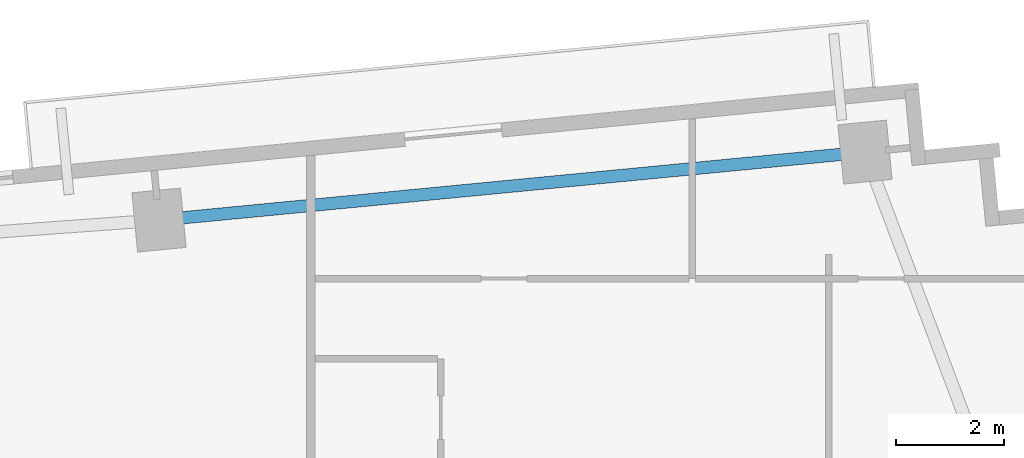
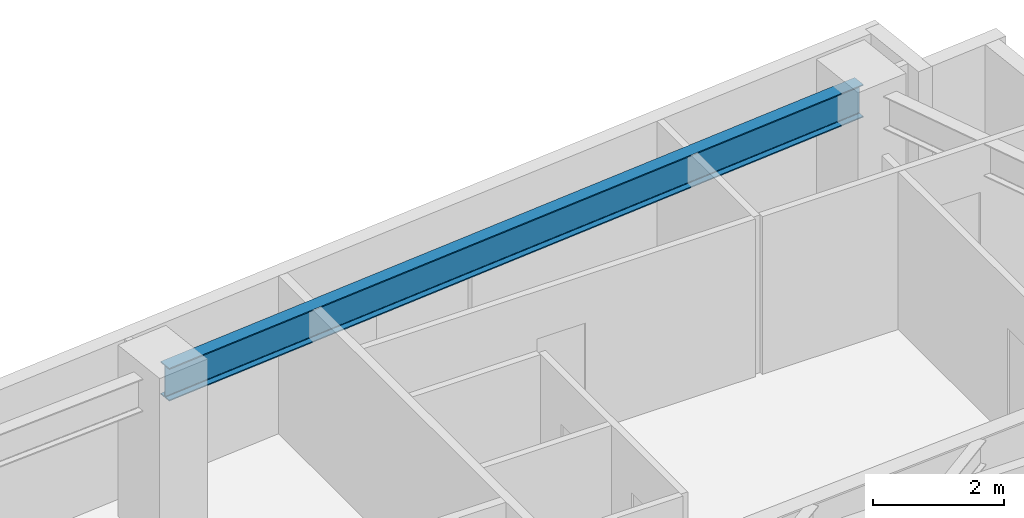
# One storey, part 18 of 27: 1 beam.
"""IFC4 building model written with IfcOpenShell, lengths in metres."""

from ifc_helpers import new_model, si_unit, direction, frame, origin, origin_2d, place, context, subcontext, project, spatial, i_section, extrude, source, transform, mapped, material, material_profile, profile_set, type_object, type_shapes, element, save


model = new_model("IFC4")

# Units and contexts
model_context = context("Model", 3, precision=1e-05, world=origin(), true_north=direction((0.0, 1.0)))
body_context = subcontext(model_context, "Body", "Model", "MODEL_VIEW")
ifc_project = project(units=[si_unit("LENGTHUNIT", "METRE"), si_unit("AREAUNIT", "SQUARE_METRE"), si_unit("VOLUMEUNIT", "CUBIC_METRE"), si_unit("PLANEANGLEUNIT", "RADIAN"), si_unit("MASSUNIT", "GRAM", prefix="KILO")], contexts=[model_context])

# Site, building, storey
site_placement = place(None, origin())
site = spatial("IfcSite", under=ifc_project, at=site_placement, CompositionType="ELEMENT")
building_placement = place(site_placement, origin())
building = spatial("IfcBuilding", under=site, at=building_placement, Name="Astriad Promenade Condominiums", CompositionType="ELEMENT")
storey_placement = place(building_placement, frame((0.0, 0.0, 97.0)))
storey = spatial("IfcBuildingStorey", under=building, at=storey_placement, Name="L27", CompositionType="ELEMENT", Elevation=97.0)

# Beam
ifc_material = material(Name="Steel ASTM A992 Grade 50", Category="steel")
ifc_material_profile = material_profile(ifc_material, i_section(OverallWidth=0.22900390625, OverallDepth=0.612060546875, WebThickness=0.011962890625, FlangeThickness=0.01953125, FilletRadius=0.017822265625, at=origin_2d()), Name="W24X84")
ifc_profile_set = profile_set([ifc_material_profile], Name="Steel ASTM A992 Grade 50")
beam_type = type_object("IfcBeamType", Name="STEEL SPANDREL BEAM W24X84", PredefinedType="SPANDREL", material=ifc_profile_set)
shared_shape = source(origin(), body_context, "Body", "SweptSolid", [
    extrude(i_section(OverallWidth=0.22900390625, OverallDepth=0.612060546875, WebThickness=0.011962890625, FlangeThickness=0.01953125, FilletRadius=0.017822265625, at=origin_2d()), origin(), (0.0, 0.0, 1.0), 13.020263671875),
])
type_shapes(beam_type, [shared_shape])
beam_placement = place(storey_placement, frame((64.394287109375, 27.5869140625, 2.6337890625), z_axis=(-0.995395311238, -0.095854965264, 0.0), x_axis=(0.095854965264, -0.995395311238, 0.0)))
element("IfcBeam", 1, at=beam_placement, inside=storey, type_object=beam_type, Name="Perimeter Spandrel Beam SP-N4-L27", PredefinedType="SPANDREL", context=body_context, shape_type="MappedRepresentation", body=[
    mapped(shared_shape, transform((0.0, 0.0, 0.0), scale=1.0)),
])

save(model, "model.ifc")
